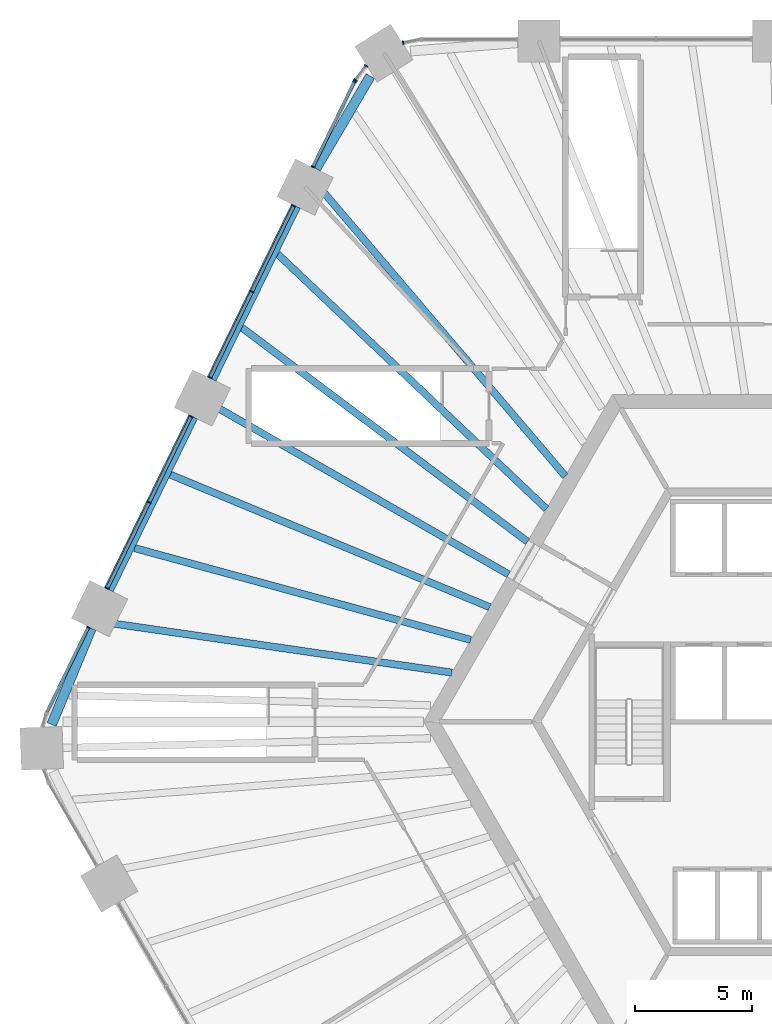
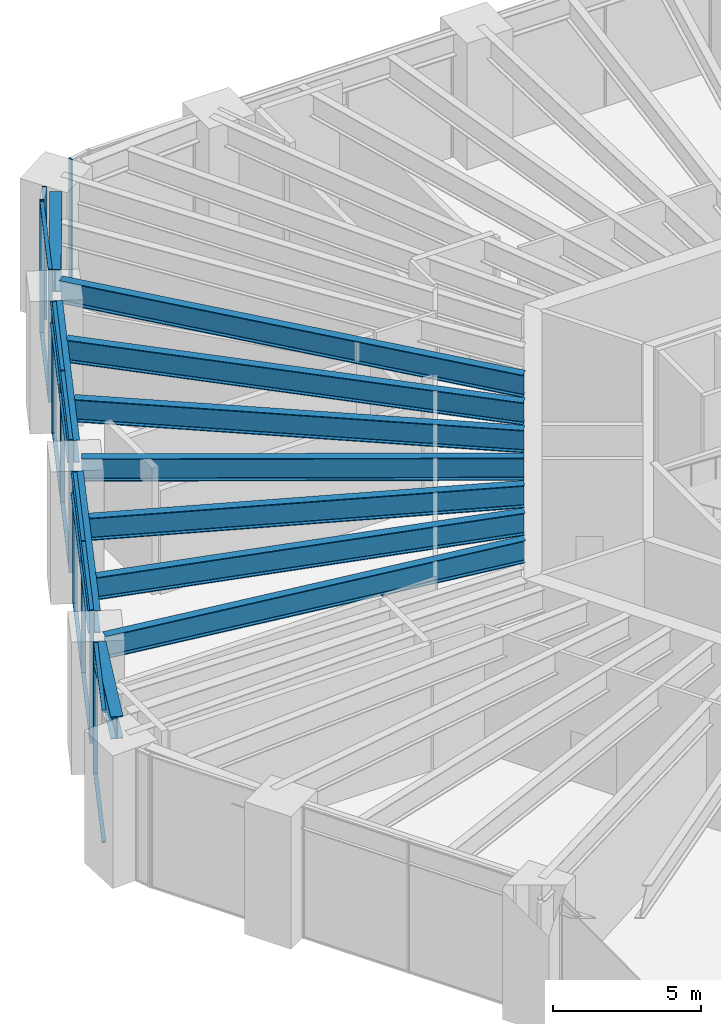
# One storey, part 6 of 25: 24 members, 11 beams, 6 elements without a shape of their own.
"""IFC4 building model written with IfcOpenShell, lengths in metres."""

from ifc_helpers import new_model, si_unit, direction, frame, origin, origin_2d, place, context, subcontext, project, spatial, rectangle, i_section, extrude, material, material_profile, profile_set, type_object, element, aggregate, save


model = new_model("IFC4")

# Units and contexts
model_context = context("Model", 3, precision=1e-05, world=origin(), true_north=direction((0.0, 1.0)))
body_context = subcontext(model_context, "Body", "Model", "MODEL_VIEW")
ifc_project = project(units=[si_unit("LENGTHUNIT", "METRE"), si_unit("AREAUNIT", "SQUARE_METRE"), si_unit("VOLUMEUNIT", "CUBIC_METRE"), si_unit("PLANEANGLEUNIT", "RADIAN"), si_unit("MASSUNIT", "GRAM", prefix="KILO")], contexts=[model_context])

# Site, building, storey
site_placement = place(None, origin())
site = spatial("IfcSite", under=ifc_project, at=site_placement, CompositionType="ELEMENT")
building_placement = place(site_placement, origin())
building = spatial("IfcBuilding", under=site, at=building_placement, Name="Tarnside Tower", CompositionType="ELEMENT")
storey_placement = place(building_placement, frame((0.0, 0.0, 26.0)))
storey = spatial("IfcBuildingStorey", under=building, at=storey_placement, Name="L04", CompositionType="ELEMENT", Elevation=26.0)

# Beams
ifc_material_1 = material(Name="Steel S355", Category="steel")
ifc_material_profile_1 = material_profile(ifc_material_1, i_section(OverallWidth=0.3076171875, OverallDepth=0.926513671875, WebThickness=0.01953125, FlangeThickness=0.031982421875, FilletRadius=0.01904296875, at=origin_2d()), Name="UB 914x305x289")
ifc_profile_set_1 = profile_set([ifc_material_profile_1], Name="Steel S355")
beam_type_1 = type_object("IfcBeamType", Name="Floor beam UB 914x305x289", PredefinedType="BEAM", material=ifc_profile_set_1)
beam_1_placement = place(storey_placement, frame((-20.838134765625, 23.10595703125, 4.73681640625), z_axis=(0.648333844013, -0.761356175983, 0.0), x_axis=(0.761356175983, 0.648333844013, 0.0)))
element("IfcBeam", 1, at=beam_1_placement, inside=storey, type_object=beam_type_1, Name="Floor beam F2.02", PredefinedType="BEAM", context=body_context, shape_type="SweptSolid", body=[
    extrude(i_section(OverallWidth=0.3076171875, OverallDepth=0.926513671875, WebThickness=0.01953125, FlangeThickness=0.031982421875, FilletRadius=0.01904296875, at=origin_2d()), origin(), (0.0, 0.0, 1.0), 16.55712890625),
])
beam_2_placement = place(storey_placement, frame((-22.39404296875, 19.98779296875, 4.73681640625), z_axis=(0.72564204745, -0.6880723937, 0.0), x_axis=(0.6880723937, 0.72564204745, 0.0)))
element("IfcBeam", 2, at=beam_2_placement, inside=storey, type_object=beam_type_1, Name="Floor beam F2.03", PredefinedType="BEAM", context=body_context, shape_type="SweptSolid", body=[
    extrude(i_section(OverallWidth=0.3076171875, OverallDepth=0.926513671875, WebThickness=0.01953125, FlangeThickness=0.031982421875, FilletRadius=0.01904296875, at=origin_2d()), origin(), (0.0, 0.0, 1.0), 15.823486328125),
])
beam_3_placement = place(storey_placement, frame((-23.927001953125, 16.844970703125, 4.73681640625), z_axis=(0.800316820193, -0.599577340563, 0.0), x_axis=(0.599577340563, 0.800316820193, 0.0)))
element("IfcBeam", 3, at=beam_3_placement, inside=storey, type_object=beam_type_1, Name="Floor beam F2.04", PredefinedType="BEAM", context=body_context, shape_type="SweptSolid", body=[
    extrude(i_section(OverallWidth=0.3076171875, OverallDepth=0.926513671875, WebThickness=0.01953125, FlangeThickness=0.031982421875, FilletRadius=0.01904296875, at=origin_2d()), origin(), (0.0, 0.0, 1.0), 15.25244140625),
])
beam_4_placement = place(storey_placement, frame((-25.459228515625, 13.703125, 4.73681640625), z_axis=(0.867834474294, -0.496853424288, 0.0), x_axis=(0.496853424288, 0.867834474294, 0.0)))
element("IfcBeam", 4, at=beam_4_placement, inside=storey, type_object=beam_type_1, Name="Floor beam F2.05", PredefinedType="BEAM", context=body_context, shape_type="SweptSolid", body=[
    extrude(i_section(OverallWidth=0.3076171875, OverallDepth=0.926513671875, WebThickness=0.01953125, FlangeThickness=0.031982421875, FilletRadius=0.01904296875, at=origin_2d()), origin(), (0.0, 0.0, 1.0), 14.89990234375),
])
beam_5_placement = place(storey_placement, frame((-26.990966796875, 10.56298828125, 4.73681640625), z_axis=(0.92370262903, -0.383110236254, 0.0), x_axis=(0.383110236254, 0.92370262903, 0.0)))
element("IfcBeam", 5, at=beam_5_placement, inside=storey, type_object=beam_type_1, Name="Floor beam F2.06", PredefinedType="BEAM", context=body_context, shape_type="SweptSolid", body=[
    extrude(i_section(OverallWidth=0.3076171875, OverallDepth=0.926513671875, WebThickness=0.01953125, FlangeThickness=0.031982421875, FilletRadius=0.01904296875, at=origin_2d()), origin(), (0.0, 0.0, 1.0), 14.781982421875),
])
beam_6_placement = place(storey_placement, frame((-28.52197265625, 7.424072265625, 4.73681640625), z_axis=(0.964711253144, -0.263310079673, 0.0), x_axis=(0.263310079673, 0.964711253144, 0.0)))
element("IfcBeam", 6, at=beam_6_placement, inside=storey, type_object=beam_type_1, Name="Floor beam F2.07", PredefinedType="BEAM", context=body_context, shape_type="SweptSolid", body=[
    extrude(i_section(OverallWidth=0.3076171875, OverallDepth=0.926513671875, WebThickness=0.01953125, FlangeThickness=0.031982421875, FilletRadius=0.01904296875, at=origin_2d()), origin(), (0.0, 0.0, 1.0), 14.90283203125),
])
beam_7_placement = place(storey_placement, frame((-30.019775390625, 4.28173828125, 4.73681640625), z_axis=(0.98967827479, -0.143307056383, 0.0), x_axis=(0.143307056383, 0.98967827479, 0.0)))
element("IfcBeam", 7, at=beam_7_placement, inside=storey, type_object=beam_type_1, Name="Floor beam F2.08", PredefinedType="BEAM", context=body_context, shape_type="SweptSolid", body=[
    extrude(i_section(OverallWidth=0.3076171875, OverallDepth=0.926513671875, WebThickness=0.01953125, FlangeThickness=0.031982421875, FilletRadius=0.01904296875, at=origin_2d()), origin(), (0.0, 0.0, 1.0), 15.2236328125),
])
ifc_material_2 = material(Name="Steel S460", Category="steel")
ifc_material_profile_2 = material_profile(ifc_material_2, i_section(OverallWidth=0.42041015625, OverallDepth=0.9208984375, WebThickness=0.021484375, FlangeThickness=0.03662109375, FilletRadius=0.024169921875, at=origin_2d()), Name="UB 914x419x388")
ifc_profile_set_2 = profile_set([ifc_material_profile_2], Name="Steel S460")
beam_type_2 = type_object("IfcBeamType", Name="Perimeter girder UB 914x419x388", PredefinedType="BEAM", material=ifc_profile_set_2)
beam_8_placement = place(storey_placement, frame((-18.438720703125, 27.600830078125, 4.739501953125), z_axis=(-0.506929396531, -0.861987579338, 0.0), x_axis=(0.861987579338, -0.506929396531, 0.0)))
element("IfcBeam", 8, at=beam_8_placement, inside=storey, type_object=beam_type_2, Name="Perimeter girder M04", PredefinedType="BEAM", context=body_context, shape_type="SweptSolid", body=[
    extrude(i_section(OverallWidth=0.42041015625, OverallDepth=0.9208984375, WebThickness=0.021484375, FlangeThickness=0.03662109375, FilletRadius=0.024169921875, at=origin_2d()), origin(), (0.0, 0.0, 1.0), 4.58642578125),
])
for number, where, z_axis, x_axis, name in (
    (9, (-21.62451171875, 22.04541015625, 4.739501953125), (-0.438368649743, -0.898795264186, 0.0), (0.898795264186, -0.438368649743, 0.0), "Perimeter girder M05"),
    (10, (-26.0185546875, 13.0361328125, 4.739501953125), (-0.438368649743, -0.898795264186, 0.0), (0.898795264186, -0.438368649743, 0.0), "Perimeter girder M06"),
):
    element("IfcBeam", number, at=place(storey_placement, frame(where, z_axis=z_axis, x_axis=x_axis)), inside=storey, type_object=beam_type_2, Name=name, PredefinedType="BEAM", context=body_context, shape_type="SweptSolid", body=[
        extrude(i_section(OverallWidth=0.42041015625, OverallDepth=0.9208984375, WebThickness=0.021484375, FlangeThickness=0.03662109375, FilletRadius=0.024169921875, at=origin_2d()), origin(), (0.0, 0.0, 1.0), 8.2236328125),
    ])
beam_9_placement = place(storey_placement, frame((-30.36962890625, 3.985595703125, 4.739501953125), z_axis=(-0.381974575495, -0.924172832145, 0.0), x_axis=(0.924172832145, -0.381974575495, 0.0)))
element("IfcBeam", 11, at=beam_9_placement, inside=storey, type_object=beam_type_2, Name="Perimeter girder M07", PredefinedType="BEAM", context=body_context, shape_type="SweptSolid", body=[
    extrude(i_section(OverallWidth=0.42041015625, OverallDepth=0.9208984375, WebThickness=0.021484375, FlangeThickness=0.03662109375, FilletRadius=0.024169921875, at=origin_2d()), origin(), (0.0, 0.0, 1.0), 4.440185546875),
])

# Curtain wall, member
ifc_material_3 = material(Name="Retail shopfront glazing wall", Category="glass")
curtain_wall_type = type_object("IfcCurtainWallType", Name="Retail shopfront glazing wall", PredefinedType="NOTDEFINED", material=ifc_material_3)
curtain_wall_1_placement = place(storey_placement, origin())
curtain_wall_1 = element("IfcCurtainWall", 12, at=curtain_wall_1_placement, inside=storey, type_object=curtain_wall_type, Name="Retail shopfront glazing L04 02.1", PredefinedType="NOTDEFINED")
ifc_material_4 = material(Name="Aluminium alloy 6063", Category="aluminium")
ifc_material_profile_3 = material_profile(ifc_material_4, rectangle(XDim=0.159912109375, YDim=0.06005859375, at=origin_2d()), Name="Retail shopfront glazing mullion 60 x 160")
ifc_profile_set_3 = profile_set([ifc_material_profile_3], Name="Aluminium alloy 6063")
member_type_1 = type_object("IfcMemberType", Name="Retail shopfront glazing mullion 60 x 160", PredefinedType="MULLION", material=ifc_profile_set_3)
member_1_placement = place(storey_placement, frame((-17.0390625, 29.0322265625, -0.25), z_axis=(0.0, 0.0, 1.0), x_axis=(0.185094923925, -0.982720646541, 0.0)))
member_1 = element("IfcMember", 13, at=member_1_placement, type_object=member_type_1, Name="CW2 mullion 2", PredefinedType="MULLION", context=body_context, shape_type="SweptSolid", body=[
    extrude(rectangle(XDim=0.159912109375, YDim=0.06005859375, at=origin_2d()), origin(), (0.0, 0.0, 1.0), 5.449951171875),
])
aggregate(curtain_wall_1, [member_1])

# Curtain wall, members
curtain_wall_2_placement = place(storey_placement, origin())
curtain_wall_2 = element("IfcCurtainWall", 14, at=curtain_wall_2_placement, inside=storey, type_object=curtain_wall_type, Name="Retail shopfront glazing L04 03.0", PredefinedType="NOTDEFINED")
member_2_placement = place(storey_placement, frame((-18.62451171875, 28.04150390625, -0.25), z_axis=(0.0, 0.0, 1.0), x_axis=(0.802123192845, -0.597158591581, 0.0)))
member_2 = element("IfcMember", 15, at=member_2_placement, type_object=member_type_1, Name="CW2 mullion 1", PredefinedType="MULLION", context=body_context, shape_type="SweptSolid", body=[
    extrude(rectangle(XDim=0.159912109375, YDim=0.06005859375, at=origin_2d()), origin(), (0.0, 0.0, 1.0), 5.449951171875),
])
member_3_placement = place(storey_placement, frame((-19.0791015625, 27.430908203125, -0.25), z_axis=(0.0, 0.0, 1.0), x_axis=(0.802123192845, -0.597158591581, 0.0)))
member_3 = element("IfcMember", 16, at=member_3_placement, type_object=member_type_1, Name="CW2 mullion 2", PredefinedType="MULLION", context=body_context, shape_type="SweptSolid", body=[
    extrude(rectangle(XDim=0.159912109375, YDim=0.06005859375, at=origin_2d()), origin(), (0.0, 0.0, 1.0), 5.449951171875),
])
aggregate(curtain_wall_2, [member_2, member_3])

curtain_wall_3_placement = place(storey_placement, origin())
curtain_wall_3 = element("IfcCurtainWall", 17, at=curtain_wall_3_placement, inside=storey, type_object=curtain_wall_type, Name="Retail shopfront glazing L04 03.1", PredefinedType="NOTDEFINED")
member_4_placement = place(storey_placement, frame((-19.117919921875, 27.366943359375, -0.25), z_axis=(0.0, 0.0, 1.0), x_axis=(0.898794046314, -0.438371146758, 0.0)))
member_4 = element("IfcMember", 18, at=member_4_placement, type_object=member_type_1, Name="CW2 mullion 1", PredefinedType="MULLION", context=body_context, shape_type="SweptSolid", body=[
    extrude(rectangle(XDim=0.159912109375, YDim=0.06005859375, at=origin_2d()), origin(), (0.0, 0.0, 1.0), 5.449951171875),
])
member_5_placement = place(storey_placement, frame((-20.89404296875, 23.725341796875, -0.25), z_axis=(0.0, 0.0, 1.0), x_axis=(0.898794046314, -0.438371146758, 0.0)))
member_5 = element("IfcMember", 19, at=member_5_placement, type_object=member_type_1, Name="CW2 mullion 2", PredefinedType="MULLION", context=body_context, shape_type="SweptSolid", body=[
    extrude(rectangle(XDim=0.159912109375, YDim=0.06005859375, at=origin_2d()), origin(), (0.0, 0.0, 1.0), 5.449951171875),
])

curtain_wall_4_placement = place(storey_placement, origin())
curtain_wall_4 = element("IfcCurtainWall", 20, at=curtain_wall_4_placement, inside=storey, type_object=curtain_wall_type, Name="Retail shopfront glazing L04 04.0", PredefinedType="NOTDEFINED")
member_6_placement = place(storey_placement, frame((-21.70947265625, 22.053466796875, -0.25), z_axis=(0.0, 0.0, 1.0), x_axis=(0.898794046292, -0.438371146805, 0.0)))
member_6 = element("IfcMember", 21, at=member_6_placement, type_object=member_type_1, Name="CW2 mullion 1", PredefinedType="MULLION", context=body_context, shape_type="SweptSolid", body=[
    extrude(rectangle(XDim=0.159912109375, YDim=0.06005859375, at=origin_2d()), origin(), (0.0, 0.0, 1.0), 5.449951171875),
])
member_7_placement = place(storey_placement, frame((-23.498779296875, 18.384765625, -0.25), z_axis=(0.0, 0.0, 1.0), x_axis=(0.898794046292, -0.438371146805, 0.0)))
member_7 = element("IfcMember", 22, at=member_7_placement, type_object=member_type_1, Name="CW2 mullion 2", PredefinedType="MULLION", context=body_context, shape_type="SweptSolid", body=[
    extrude(rectangle(XDim=0.159912109375, YDim=0.06005859375, at=origin_2d()), origin(), (0.0, 0.0, 1.0), 5.449951171875),
])
member_8_placement = place(storey_placement, frame((-25.288330078125, 14.716064453125, -0.25), z_axis=(0.0, 0.0, 1.0), x_axis=(0.898794046292, -0.438371146805, 0.0)))
member_8 = element("IfcMember", 23, at=member_8_placement, type_object=member_type_1, Name="CW2 mullion 3", PredefinedType="MULLION", context=body_context, shape_type="SweptSolid", body=[
    extrude(rectangle(XDim=0.159912109375, YDim=0.06005859375, at=origin_2d()), origin(), (0.0, 0.0, 1.0), 5.449951171875),
])

curtain_wall_5_placement = place(storey_placement, origin())
curtain_wall_5 = element("IfcCurtainWall", 24, at=curtain_wall_5_placement, inside=storey, type_object=curtain_wall_type, Name="Retail shopfront glazing L04 05.0", PredefinedType="NOTDEFINED")
member_9_placement = place(storey_placement, frame((-26.103515625, 13.044189453125, -0.25), z_axis=(0.0, 0.0, 1.0), x_axis=(0.898794046292, -0.438371146805, 0.0)))
member_9 = element("IfcMember", 25, at=member_9_placement, type_object=member_type_1, Name="CW2 mullion 1", PredefinedType="MULLION", context=body_context, shape_type="SweptSolid", body=[
    extrude(rectangle(XDim=0.159912109375, YDim=0.06005859375, at=origin_2d()), origin(), (0.0, 0.0, 1.0), 5.449951171875),
])
member_10_placement = place(storey_placement, frame((-27.89306640625, 9.37548828125, -0.25), z_axis=(0.0, 0.0, 1.0), x_axis=(0.898794046292, -0.438371146805, 0.0)))
member_10 = element("IfcMember", 26, at=member_10_placement, type_object=member_type_1, Name="CW2 mullion 2", PredefinedType="MULLION", context=body_context, shape_type="SweptSolid", body=[
    extrude(rectangle(XDim=0.159912109375, YDim=0.06005859375, at=origin_2d()), origin(), (0.0, 0.0, 1.0), 5.449951171875),
])
member_11_placement = place(storey_placement, frame((-29.682373046875, 5.706787109375, -0.25), z_axis=(0.0, 0.0, 1.0), x_axis=(0.898794046292, -0.438371146805, 0.0)))
member_11 = element("IfcMember", 27, at=member_11_placement, type_object=member_type_1, Name="CW2 mullion 3", PredefinedType="MULLION", context=body_context, shape_type="SweptSolid", body=[
    extrude(rectangle(XDim=0.159912109375, YDim=0.06005859375, at=origin_2d()), origin(), (0.0, 0.0, 1.0), 5.449951171875),
])

# Curtain wall, member
curtain_wall_6_placement = place(storey_placement, origin())
curtain_wall_6 = element("IfcCurtainWall", 28, at=curtain_wall_6_placement, inside=storey, type_object=curtain_wall_type, Name="Retail shopfront glazing L04 06.0", PredefinedType="NOTDEFINED")
member_12_placement = place(storey_placement, frame((-30.497802734375, 4.03515625, -0.25), z_axis=(0.0, 0.0, 1.0), x_axis=(0.898794046314, -0.438371146758, 0.0)))
member_12 = element("IfcMember", 29, at=member_12_placement, type_object=member_type_1, Name="CW2 mullion 1", PredefinedType="MULLION", context=body_context, shape_type="SweptSolid", body=[
    extrude(rectangle(XDim=0.159912109375, YDim=0.06005859375, at=origin_2d()), origin(), (0.0, 0.0, 1.0), 5.449951171875),
])

# Member
ifc_material_profile_4 = material_profile(ifc_material_4, rectangle(XDim=0.139892578125, YDim=0.06005859375, at=origin_2d()), Name="Retail shopfront glazing transom 60 x 140")
ifc_profile_set_4 = profile_set([ifc_material_profile_4], Name="Aluminium alloy 6063")
member_type_2 = type_object("IfcMemberType", Name="Retail shopfront glazing transom 60 x 140", PredefinedType="USERDEFINED", material=ifc_profile_set_4)
member_13_placement = place(storey_placement, frame((-19.131103515625, 27.340087890625, -0.219970703125), z_axis=(-0.43833566611, -0.898811350516, 0.0), x_axis=(0.898811350516, -0.43833566611, 0.0)))
member_13 = element("IfcMember", 30, at=member_13_placement, type_object=member_type_2, Name="CW2 transom 1.1", ObjectType="TRANSOM", PredefinedType="USERDEFINED", context=body_context, shape_type="SweptSolid", body=[
    extrude(rectangle(XDim=0.139892578125, YDim=0.06005859375, at=origin_2d()), origin(), (0.0, 0.0, 1.0), 3.99169921875),
])

member_14_placement = place(storey_placement, frame((-19.131103515625, 27.340087890625, 5.169921875), z_axis=(-0.43833566611, -0.898811350516, 0.0), x_axis=(0.898811350516, -0.43833566611, 0.0)))
member_14 = element("IfcMember", 31, at=member_14_placement, type_object=member_type_2, Name="CW2 transom 1.2", ObjectType="TRANSOM", PredefinedType="USERDEFINED", context=body_context, shape_type="SweptSolid", body=[
    extrude(rectangle(XDim=0.139892578125, YDim=0.06005859375, at=origin_2d()), origin(), (0.0, 0.0, 1.0), 3.99169921875),
])

aggregate(curtain_wall_3, [member_4, member_5, member_13, member_14])

member_15_placement = place(storey_placement, frame((-21.72265625, 22.026611328125, -0.219970703125), z_axis=(-0.438353065484, -0.898802864916, 0.0), x_axis=(0.898802864916, -0.438353065484, 0.0)))
member_15 = element("IfcMember", 32, at=member_15_placement, type_object=member_type_2, Name="CW2 transom 1.1", ObjectType="TRANSOM", PredefinedType="USERDEFINED", context=body_context, shape_type="SweptSolid", body=[
    extrude(rectangle(XDim=0.139892578125, YDim=0.06005859375, at=origin_2d()), origin(), (0.0, 0.0, 1.0), 4.021728515625),
])

member_16_placement = place(storey_placement, frame((-21.72265625, 22.026611328125, 5.169921875), z_axis=(-0.438353065484, -0.898802864916, 0.0), x_axis=(0.898802864916, -0.438353065484, 0.0)))
member_16 = element("IfcMember", 33, at=member_16_placement, type_object=member_type_2, Name="CW2 transom 1.2", ObjectType="TRANSOM", PredefinedType="USERDEFINED", context=body_context, shape_type="SweptSolid", body=[
    extrude(rectangle(XDim=0.139892578125, YDim=0.06005859375, at=origin_2d()), origin(), (0.0, 0.0, 1.0), 4.021728515625),
])

member_17_placement = place(storey_placement, frame((-23.511962890625, 18.35791015625, -0.219970703125), z_axis=(-0.438378186386, -0.898790612824, 0.0), x_axis=(0.898790612824, -0.438378186386, 0.0)))
member_17 = element("IfcMember", 34, at=member_17_placement, type_object=member_type_2, Name="CW2 transom 2.1", ObjectType="TRANSOM", PredefinedType="USERDEFINED", context=body_context, shape_type="SweptSolid", body=[
    extrude(rectangle(XDim=0.139892578125, YDim=0.06005859375, at=origin_2d()), origin(), (0.0, 0.0, 1.0), 4.02197265625),
])

member_18_placement = place(storey_placement, frame((-23.511962890625, 18.35791015625, 5.169921875), z_axis=(-0.438378186386, -0.898790612824, 0.0), x_axis=(0.898790612824, -0.438378186386, 0.0)))
member_18 = element("IfcMember", 35, at=member_18_placement, type_object=member_type_2, Name="CW2 transom 2.2", ObjectType="TRANSOM", PredefinedType="USERDEFINED", context=body_context, shape_type="SweptSolid", body=[
    extrude(rectangle(XDim=0.139892578125, YDim=0.06005859375, at=origin_2d()), origin(), (0.0, 0.0, 1.0), 4.02197265625),
])

aggregate(curtain_wall_4, [member_6, member_7, member_8, member_15, member_16, member_17, member_18])

member_19_placement = place(storey_placement, frame((-26.11669921875, 13.017333984375, -0.219970703125), z_axis=(-0.438402104107, -0.898778946747, 0.0), x_axis=(0.898778946747, -0.438402104107, 0.0)))
member_19 = element("IfcMember", 36, at=member_19_placement, type_object=member_type_2, Name="CW2 transom 1.1", ObjectType="TRANSOM", PredefinedType="USERDEFINED", context=body_context, shape_type="SweptSolid", body=[
    extrude(rectangle(XDim=0.139892578125, YDim=0.06005859375, at=origin_2d()), origin(), (0.0, 0.0, 1.0), 4.021728515625),
])

member_20_placement = place(storey_placement, frame((-26.11669921875, 13.017333984375, 5.169921875), z_axis=(-0.438402104107, -0.898778946747, 0.0), x_axis=(0.898778946747, -0.438402104107, 0.0)))
member_20 = element("IfcMember", 37, at=member_20_placement, type_object=member_type_2, Name="CW2 transom 1.2", ObjectType="TRANSOM", PredefinedType="USERDEFINED", context=body_context, shape_type="SweptSolid", body=[
    extrude(rectangle(XDim=0.139892578125, YDim=0.06005859375, at=origin_2d()), origin(), (0.0, 0.0, 1.0), 4.021728515625),
])

member_21_placement = place(storey_placement, frame((-27.906005859375, 9.3486328125, -0.219970703125), z_axis=(-0.438402104107, -0.898778946747, 0.0), x_axis=(0.898778946747, -0.438402104107, 0.0)))
member_21 = element("IfcMember", 38, at=member_21_placement, type_object=member_type_2, Name="CW2 transom 2.1", ObjectType="TRANSOM", PredefinedType="USERDEFINED", context=body_context, shape_type="SweptSolid", body=[
    extrude(rectangle(XDim=0.139892578125, YDim=0.06005859375, at=origin_2d()), origin(), (0.0, 0.0, 1.0), 4.021728515625),
])

member_22_placement = place(storey_placement, frame((-27.906005859375, 9.3486328125, 5.169921875), z_axis=(-0.438402104107, -0.898778946747, 0.0), x_axis=(0.898778946747, -0.438402104107, 0.0)))
member_22 = element("IfcMember", 39, at=member_22_placement, type_object=member_type_2, Name="CW2 transom 2.2", ObjectType="TRANSOM", PredefinedType="USERDEFINED", context=body_context, shape_type="SweptSolid", body=[
    extrude(rectangle(XDim=0.139892578125, YDim=0.06005859375, at=origin_2d()), origin(), (0.0, 0.0, 1.0), 4.021728515625),
])

aggregate(curtain_wall_5, [member_9, member_10, member_11, member_19, member_20, member_21, member_22])

member_23_placement = place(storey_placement, frame((-30.5107421875, 4.008056640625, -0.219970703125), z_axis=(-0.438385073172, -0.898787253815, 0.0), x_axis=(0.898787253815, -0.438385073172, 0.0)))
member_23 = element("IfcMember", 40, at=member_23_placement, type_object=member_type_2, Name="CW2 transom 1.1", ObjectType="TRANSOM", PredefinedType="USERDEFINED", context=body_context, shape_type="SweptSolid", body=[
    extrude(rectangle(XDim=0.139892578125, YDim=0.06005859375, at=origin_2d()), origin(), (0.0, 0.0, 1.0), 3.991943359375),
])

member_24_placement = place(storey_placement, frame((-30.5107421875, 4.008056640625, 5.169921875), z_axis=(-0.438385073172, -0.898787253815, 0.0), x_axis=(0.898787253815, -0.438385073172, 0.0)))
member_24 = element("IfcMember", 41, at=member_24_placement, type_object=member_type_2, Name="CW2 transom 1.2", ObjectType="TRANSOM", PredefinedType="USERDEFINED", context=body_context, shape_type="SweptSolid", body=[
    extrude(rectangle(XDim=0.139892578125, YDim=0.06005859375, at=origin_2d()), origin(), (0.0, 0.0, 1.0), 3.991943359375),
])

aggregate(curtain_wall_6, [member_12, member_23, member_24])

save(model, "model.ifc")
